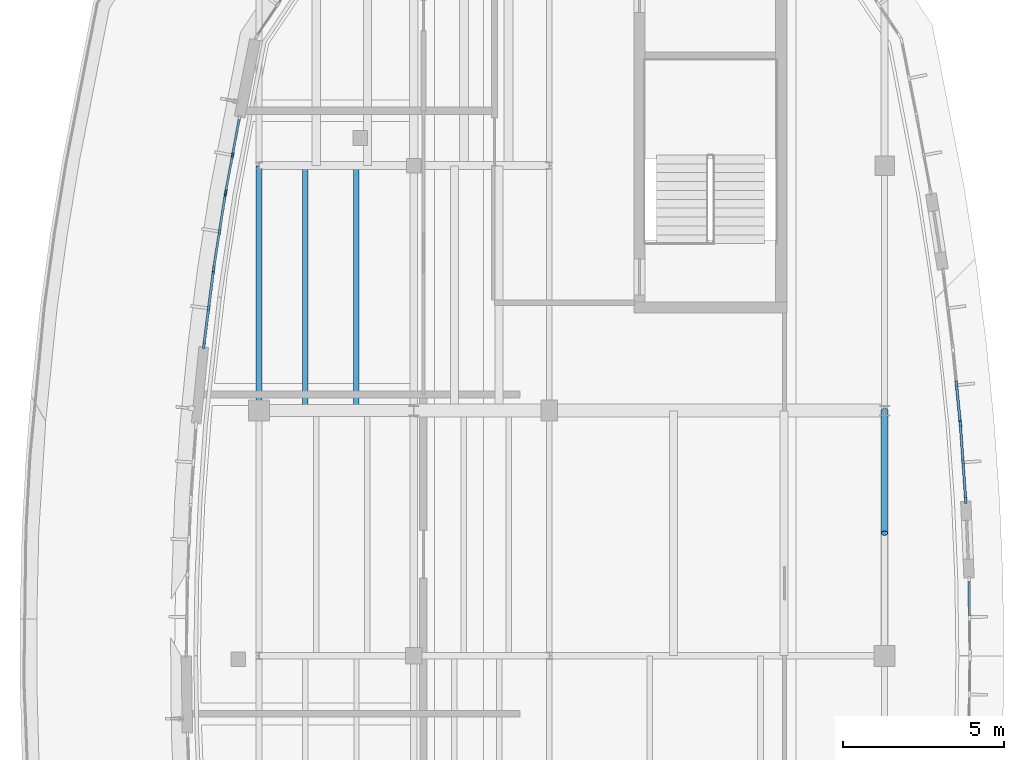
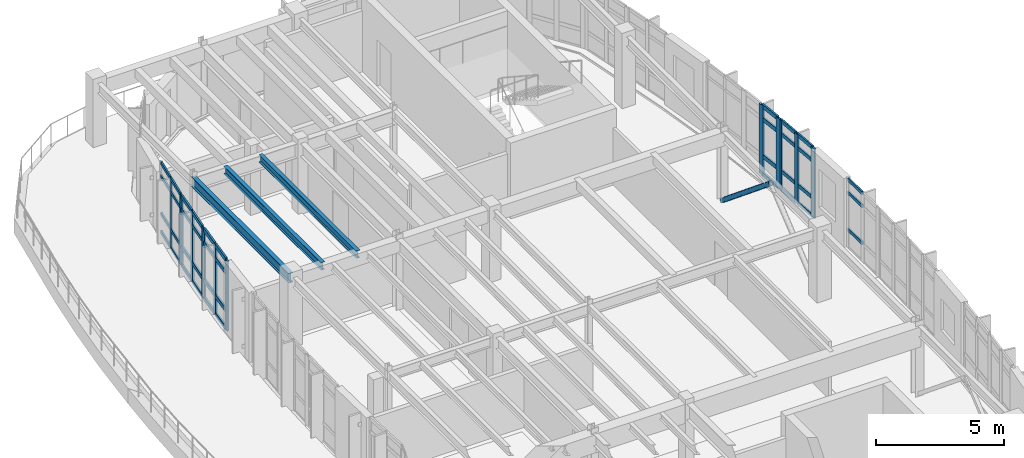
# One storey, part 9 of 20: 53 members, 3 beams, 6 elements without a shape of their own.
"""IFC4 building model written with IfcOpenShell, lengths in metres."""

import ifcopenshell
import ifcopenshell.guid

model = None  # the IFC model being written
_history = None  # IfcOwnerHistory: only IFC2X3 demands one
_inside = {}  # id of a spatial element -> (the spatial element, [elements in it])
_under = {}  # id of a project, library or spatial element -> (it, [spatial elements below it])
_declared = {}  # id of a project -> (the project, [libraries it declares])
_typed = {}  # id of a type object -> (the type object, [elements of that type])
_made_of = {}  # id of a material, layer set ... -> (it, [elements and type objects made of it])


def new_model(schema):
    """Start an empty IFC model of exactly this schema.

    Asked for "IFC4X3", IfcOpenShell would pick the latest addendum, in which some entities
    have other attributes; the version numbers below select the first issue.
    IFC2X3 requires an IfcOwnerHistory on every rooted entity: one is made here for all.
    """
    global model, _history
    if schema == "IFC4X3":
        model = ifcopenshell.file(schema_version=(4, 3, 0, 0))
    else:
        model = ifcopenshell.file(schema=schema)
    _inside.clear()
    _under.clear()
    _declared.clear()
    _typed.clear()
    _made_of.clear()
    _history = None
    if model.schema == "IFC2X3":
        org = make("IfcOrganization", Name="unknown")
        user = make(
            "IfcPersonAndOrganization",
            ThePerson=make("IfcPerson", FamilyName="unknown"),
            TheOrganization=org,
        )
        app = make(
            "IfcApplication",
            ApplicationDeveloper=org,
            Version="unknown",
            ApplicationFullName="unknown",
            ApplicationIdentifier="unknown",
        )
        _history = make(
            "IfcOwnerHistory",
            OwningUser=user,
            OwningApplication=app,
            ChangeAction="ADDED",
            CreationDate=0,
        )
    return model


def make(cls, **values):
    """One entity of the class cls with the attributes given. An attribute that is None is left unset."""
    return model.create_entity(
        cls, **{name: value for name, value in values.items() if value is not None}
    )


def rooted(cls, **values):
    """An entity with a GlobalId (a new one), such as an element, a storey or a relation."""
    return make(cls, GlobalId=ifcopenshell.guid.new(), OwnerHistory=_history, **values)


def si_unit(unit_type, name, prefix=None):
    """IfcSIUnit, for example si_unit("LENGTHUNIT", "METRE", prefix="MILLI")."""
    return make("IfcSIUnit", UnitType=unit_type, Prefix=prefix, Name=name)


def assignment(units):
    """IfcUnitAssignment: the units of a project."""
    return None if units is None else make("IfcUnitAssignment", Units=units)


def point(xyz):
    """IfcCartesianPoint."""
    return None if xyz is None else make("IfcCartesianPoint", Coordinates=xyz)


def direction(xyz):
    """IfcDirection."""
    return None if xyz is None else make("IfcDirection", DirectionRatios=xyz)


def frame(location, z_axis=None, x_axis=None):
    """IfcAxis2Placement3D, a coordinate frame: its origin and axes. An axis left out is left unset."""
    return make(
        "IfcAxis2Placement3D",
        Location=point(location),
        Axis=direction(z_axis),
        RefDirection=direction(x_axis),
    )


def frame_2d(location, x_axis=None):
    """IfcAxis2Placement2D, a coordinate frame in the plane: its origin and x axis."""
    return make(
        "IfcAxis2Placement2D", Location=point(location), RefDirection=direction(x_axis)
    )


def origin():
    """The frame at (0, 0, 0) with its axes left unset."""
    return frame((0.0, 0.0, 0.0))


def origin_2d():
    """The frame at (0, 0) in the plane with its x axis left unset."""
    return frame_2d((0.0, 0.0))


def place(relative_to, where):
    """IfcLocalPlacement: puts the frame where relative to a parent placement (None: the world)."""
    return make(
        "IfcLocalPlacement", PlacementRelTo=relative_to, RelativePlacement=where
    )


def context(
    kind, dimensions, precision=None, world=None, true_north=None, identifier=None
):
    """IfcGeometricRepresentationContext, for example the 3D "Model" context."""
    return make(
        "IfcGeometricRepresentationContext",
        ContextIdentifier=identifier,
        ContextType=kind,
        CoordinateSpaceDimension=dimensions,
        Precision=precision,
        WorldCoordinateSystem=world,
        TrueNorth=true_north,
    )


def subcontext(parent, identifier, kind, view, scale=None):
    """IfcGeometricRepresentationSubContext, for example "Body" below "Model"."""
    return make(
        "IfcGeometricRepresentationSubContext",
        ContextIdentifier=identifier,
        ContextType=kind,
        ParentContext=parent,
        TargetScale=scale,
        TargetView=view,
    )


def project(units=None, contexts=None):
    """IfcProject with its units and contexts."""
    return rooted(
        "IfcProject",
        Name="project",
        RepresentationContexts=contexts,
        UnitsInContext=assignment(units),
    )


def spatial(cls, under=None, at=None, **own):
    """A site, building, storey or space (cls), placed at a placement, below another one or the project."""
    s = rooted(cls, ObjectPlacement=at, **own)
    if under is not None:
        _under.setdefault(under.id(), (under, []))[1].append(s)
    return s


def profile(cls, at=None, kind="AREA", **sizes):
    """A parametric profile (cls). Its sizes go by their IFC names, for example OverallWidth=200.0."""
    return make(cls, ProfileType=kind, Position=at, **sizes)


def rectangle(**sizes):
    """IfcRectangleProfileDef."""
    return profile("IfcRectangleProfileDef", **sizes)


def hollow_circle(**sizes):
    """IfcCircleHollowProfileDef."""
    return profile("IfcCircleHollowProfileDef", **sizes)


def i_section(**sizes):
    """IfcIShapeProfileDef."""
    return profile("IfcIShapeProfileDef", **sizes)


def extrude(swept, where, along, depth):
    """IfcExtrudedAreaSolid: the profile swept, set in the frame where, extruded along a direction by depth."""
    return make(
        "IfcExtrudedAreaSolid",
        SweptArea=swept,
        Position=where,
        ExtrudedDirection=direction(along),
        Depth=depth,
    )


def shape(context_of_items, identifier, shape_type, items):
    """IfcShapeRepresentation: the items that make up one representation, for example the "Body"."""
    return make(
        "IfcShapeRepresentation",
        ContextOfItems=context_of_items,
        RepresentationIdentifier=identifier,
        RepresentationType=shape_type,
        Items=items,
    )


def material(Name=None, Category=None):
    """IfcMaterial."""
    return make("IfcMaterial", Name=Name, Category=Category)


def material_profile(
    of_material, cross_section, Name=None, Category=None, Priority=None
):
    """IfcMaterialProfile: a cross section and its material."""
    return make(
        "IfcMaterialProfile",
        Name=Name,
        Material=of_material,
        Profile=cross_section,
        Priority=Priority,
        Category=Category,
    )


def profile_set(profiles, Name=None, composite=None):
    """IfcMaterialProfileSet."""
    return make(
        "IfcMaterialProfileSet",
        Name=Name,
        MaterialProfiles=profiles,
        CompositeProfile=composite,
    )


def made_of(thing, what):
    """Note that an element or type object is made of a material, layer set ...; save() writes the relation."""
    if what is not None:
        _made_of.setdefault(what.id(), (what, []))[1].append(thing)
    return thing


def type_object(cls, material=None, **own):
    """A type object (cls), such as IfcWallType, which elements share."""
    return made_of(rooted(cls, **own), material)


def element(
    cls,
    number,
    at=None,
    inside=None,
    cuts=None,
    type_object=None,
    material=None,
    context=None,
    identifier="Body",
    shape_type=None,
    held_by="IfcProductDefinitionShape",
    body=None,
    shapes=None,
    **own,
):
    """One element of the class cls, such as IfcWall. Its Tag is "e" and its number.

    at: its placement. inside: the storey or other place that contains it. cuts: it is an
    opening in that element (IfcRelVoidsElement). A single representation is given by context,
    identifier, shape_type and body (its items); several are given by shapes. held_by: the class
    of the entity that holds the representations. save() writes the other relations.
    """
    e = rooted(cls, Tag="e%d" % number, ObjectPlacement=at, **own)
    if body is not None:
        shapes = [shape(context, identifier, shape_type, body)]
    if shapes is not None:
        e.Representation = make(held_by, Representations=shapes)
    if inside is not None:
        _inside.setdefault(inside.id(), (inside, []))[1].append(e)
    if cuts is not None:
        rooted(
            "IfcRelVoidsElement", RelatingBuildingElement=cuts, RelatedOpeningElement=e
        )
    if type_object is not None:
        _typed.setdefault(type_object.id(), (type_object, []))[1].append(e)
    return made_of(e, material)


def aggregate(whole, parts):
    """IfcRelAggregates: a whole, such as a stair, and the parts it consists of."""
    return rooted("IfcRelAggregates", RelatingObject=whole, RelatedObjects=parts)


def save(model, path):
    """Write the relations noted so far, then the file.

    IfcRelAggregates (storeys below a building ...), IfcRelContainedInSpatialStructure (elements
    in a storey), IfcRelDefinesByType, IfcRelAssociatesMaterial and IfcRelDeclares: one each for
    every whole, place, type object, material and project.
    """
    for whole, parts in _under.values():
        aggregate(whole, parts)
    for where, things in _inside.values():
        rooted(
            "IfcRelContainedInSpatialStructure",
            RelatedElements=things,
            RelatingStructure=where,
        )
    for kind, things in _typed.values():
        rooted("IfcRelDefinesByType", RelatedObjects=things, RelatingType=kind)
    for what, things in _made_of.values():
        rooted("IfcRelAssociatesMaterial", RelatedObjects=things, RelatingMaterial=what)
    for by, libraries in _declared.values():
        rooted("IfcRelDeclares", RelatingContext=by, RelatedDefinitions=libraries)
    model.write(path)


model = new_model("IFC4")

# Units and contexts
model_context = context("Model", 3, precision=1e-05, world=origin(), true_north=direction((0.0, 1.0)))
body_context = subcontext(model_context, "Body", "Model", "MODEL_VIEW")
ifc_project = project(units=[si_unit("LENGTHUNIT", "METRE"), si_unit("AREAUNIT", "SQUARE_METRE"), si_unit("VOLUMEUNIT", "CUBIC_METRE"), si_unit("PLANEANGLEUNIT", "RADIAN"), si_unit("MASSUNIT", "GRAM", prefix="KILO")], contexts=[model_context])

# Site, building, storey
site_placement = place(None, origin())
site = spatial("IfcSite", under=ifc_project, at=site_placement, CompositionType="ELEMENT")
building_placement = place(site_placement, origin())
building = spatial("IfcBuilding", under=site, at=building_placement, Name="Corveleigh Park Community Centre", CompositionType="ELEMENT")
storey_placement = place(building_placement, frame((0.0, 0.0, 16.199951171875)))
storey = spatial("IfcBuildingStorey", under=building, at=storey_placement, Name="L04", CompositionType="ELEMENT", Elevation=16.199951171875)

# Beams
ifc_material_1 = material(Name="Steel S355", Category="steel")
ifc_material_profile_1 = material_profile(ifc_material_1, i_section(OverallWidth=0.17138671875, OverallDepth=0.35498046875, WebThickness=0.00732421875, FlangeThickness=0.011474609375, at=origin_2d()), Name="UKB 356x171x51", Category="steel")
ifc_profile_set_1 = profile_set([ifc_material_profile_1], Name="Steel S355")
beam_type_1 = type_object("IfcBeamType", Name="BM-STL-UKB356x51", PredefinedType="JOIST", material=ifc_profile_set_1)
for number, where, z_axis, x_axis, name in (
    (1, (150.43994140625, 89.0048828125, 3.15966796875), (0.0, 1.0, 0.0), (-1.0, 0.0, 0.0), "Secondary floor joist"),
    (2, (152.02392578125, 89.0048828125, 3.15966796875), (0.0, 1.0, 0.0), (-1.0, 0.0, 0.0), "Secondary floor joist"),
):
    element("IfcBeam", number, at=place(storey_placement, frame(where, z_axis=z_axis, x_axis=x_axis)), inside=storey, type_object=beam_type_1, Name=name, PredefinedType="JOIST", context=body_context, shape_type="SweptSolid", body=[
        extrude(i_section(OverallWidth=0.17138671875, OverallDepth=0.35498046875, WebThickness=0.00732421875, FlangeThickness=0.011474609375, at=origin_2d()), origin(), (0.0, 0.0, 1.0), 7.590087890625),
    ])
ifc_material_profile_2 = material_profile(ifc_material_1, i_section(OverallWidth=0.19140625, OverallDepth=0.4599609375, WebThickness=0.010009765625, FlangeThickness=0.01611328125, at=origin_2d()), Name="UKB 457x191x82", Category="steel")
ifc_profile_set_2 = profile_set([ifc_material_profile_2], Name="Steel S355")
beam_type_2 = type_object("IfcBeamType", Name="BM-STL-UKB457x82", PredefinedType="BEAM", material=ifc_profile_set_2)
beam_placement = place(storey_placement, frame((149.0, 89.0048828125, 3.10693359375), z_axis=(0.0, 1.0, 0.0), x_axis=(-1.0, 0.0, 0.0)))
element("IfcBeam", 3, at=beam_placement, inside=storey, type_object=beam_type_2, Name="V4 Girder Y", PredefinedType="BEAM", context=body_context, shape_type="SweptSolid", body=[
    extrude(i_section(OverallWidth=0.19140625, OverallDepth=0.4599609375, WebThickness=0.010009765625, FlangeThickness=0.01611328125, at=origin_2d()), origin(), (0.0, 0.0, 1.0), 7.590087890625),
])

# Curtain wall, members
ifc_material_2 = material(Name="Anodised aluminium 6063-T6", Category="aluminium")
curtain_wall_type = type_object("IfcCurtainWallType", Name="CW-SYS-V4-L03", PredefinedType="NOTDEFINED", material=ifc_material_2)
curtain_wall_1_placement = place(storey_placement, origin())
curtain_wall_1 = element("IfcCurtainWall", 4, at=curtain_wall_1_placement, inside=storey, type_object=curtain_wall_type, Name="V4 L04 Curtain Wall 458", PredefinedType="NOTDEFINED")
ifc_material_profile_3 = material_profile(ifc_material_2, rectangle(XDim=0.06494140625, YDim=0.179931640625, at=origin_2d()), Name="ALU-M65x180", Category="aluminium")
ifc_profile_set_3 = profile_set([ifc_material_profile_3], Name="Anodised aluminium 6063-T6")
member_type_1 = type_object("IfcMemberType", Name="CWM-65x180", PredefinedType="MULLION", material=ifc_profile_set_3)
member_1_placement = place(storey_placement, frame((147.970947265625, 95.780029296875, 0.0), z_axis=(0.0, 0.0, 1.0), x_axis=(-0.983301463744, 0.181984151504, 0.0)))
member_1 = element("IfcMember", 5, at=member_1_placement, type_object=member_type_1, Name="CW09 mullion 1", PredefinedType="MULLION", context=body_context, shape_type="SweptSolid", body=[
    extrude(rectangle(XDim=0.06494140625, YDim=0.179931640625, at=origin_2d()), origin(), (0.0, 0.0, 1.0), 3.337158203125),
])
member_2_placement = place(storey_placement, frame((148.181884765625, 96.92041015625, 0.0), z_axis=(0.0, 0.0, 1.0), x_axis=(-0.983301463744, 0.181984151504, 0.0)))
member_2 = element("IfcMember", 6, at=member_2_placement, type_object=member_type_1, Name="CW09 mullion 2", PredefinedType="MULLION", context=body_context, shape_type="SweptSolid", body=[
    extrude(rectangle(XDim=0.06494140625, YDim=0.179931640625, at=origin_2d()), origin(), (0.0, 0.0, 1.0), 3.337158203125),
])

curtain_wall_2_placement = place(storey_placement, origin())
curtain_wall_2 = element("IfcCurtainWall", 7, at=curtain_wall_2_placement, inside=storey, type_object=curtain_wall_type, Name="V4 L04 Curtain Wall 459", PredefinedType="NOTDEFINED")
ifc_material_profile_4 = material_profile(ifc_material_2, rectangle(XDim=0.070068359375, YDim=0.199951171875, at=origin_2d()), Name="ALU-M70x200", Category="aluminium")
ifc_profile_set_4 = profile_set([ifc_material_profile_4], Name="Anodised aluminium 6063-T6")
member_type_2 = type_object("IfcMemberType", Name="CWM-70x200", PredefinedType="MULLION", material=ifc_profile_set_4)
member_3_placement = place(storey_placement, frame((147.598388671875, 93.41064453125, 0.0), z_axis=(0.0, 0.0, 1.0), x_axis=(-0.987935898779, 0.154863358814, 0.0)))
member_3 = element("IfcMember", 8, at=member_3_placement, type_object=member_type_2, Name="CW09 mullion 1", PredefinedType="MULLION", context=body_context, shape_type="SweptSolid", body=[
    extrude(rectangle(XDim=0.070068359375, YDim=0.199951171875, at=origin_2d()), origin(), (0.0, 0.0, 1.0), 3.337158203125),
])
member_4_placement = place(storey_placement, frame((147.777587890625, 94.552978515625, 0.0), z_axis=(0.0, 0.0, 1.0), x_axis=(-0.987935898779, 0.154863358814, 0.0)))
member_4 = element("IfcMember", 9, at=member_4_placement, type_object=member_type_2, Name="CW09 mullion 2", PredefinedType="MULLION", context=body_context, shape_type="SweptSolid", body=[
    extrude(rectangle(XDim=0.070068359375, YDim=0.199951171875, at=origin_2d()), origin(), (0.0, 0.0, 1.0), 3.337158203125),
])
member_5_placement = place(storey_placement, frame((147.95654296875, 95.6953125, 0.0), z_axis=(0.0, 0.0, 1.0), x_axis=(-0.987935898779, 0.154863358814, 0.0)))
member_5 = element("IfcMember", 10, at=member_5_placement, type_object=member_type_2, Name="CW09 mullion 3", PredefinedType="MULLION", context=body_context, shape_type="SweptSolid", body=[
    extrude(rectangle(XDim=0.070068359375, YDim=0.199951171875, at=origin_2d()), origin(), (0.0, 0.0, 1.0), 3.337158203125),
])

curtain_wall_3_placement = place(storey_placement, origin())
curtain_wall_3 = element("IfcCurtainWall", 11, at=curtain_wall_3_placement, inside=storey, type_object=curtain_wall_type, Name="V4 L04 Curtain Wall 460", PredefinedType="NOTDEFINED")
ifc_material_profile_5 = material_profile(ifc_material_2, rectangle(XDim=0.074951171875, YDim=0.219970703125, at=origin_2d()), Name="ALU-M75x220", Category="aluminium")
ifc_profile_set_5 = profile_set([ifc_material_profile_5], Name="Anodised aluminium 6063-T6")
member_type_3 = type_object("IfcMemberType", Name="CWM-75x220", PredefinedType="MULLION", material=ifc_profile_set_5)
member_6_placement = place(storey_placement, frame((147.293701171875, 91.03125, 0.0), z_axis=(0.0, 0.0, 1.0), x_axis=(-0.991938561413, 0.126719731618, 0.0)))
member_6 = element("IfcMember", 12, at=member_6_placement, type_object=member_type_3, Name="CW09 mullion 1", PredefinedType="MULLION", context=body_context, shape_type="SweptSolid", body=[
    extrude(rectangle(XDim=0.074951171875, YDim=0.219970703125, at=origin_2d()), origin(), (0.0, 0.0, 1.0), 3.337158203125),
])
member_7_placement = place(storey_placement, frame((147.43994140625, 92.176025390625, 0.0), z_axis=(0.0, 0.0, 1.0), x_axis=(-0.991938561413, 0.126719731618, 0.0)))
member_7 = element("IfcMember", 13, at=member_7_placement, type_object=member_type_3, Name="CW09 mullion 2", PredefinedType="MULLION", context=body_context, shape_type="SweptSolid", body=[
    extrude(rectangle(XDim=0.074951171875, YDim=0.219970703125, at=origin_2d()), origin(), (0.0, 0.0, 1.0), 3.337158203125),
])
member_8_placement = place(storey_placement, frame((147.586181640625, 93.32080078125, 0.0), z_axis=(0.0, 0.0, 1.0), x_axis=(-0.991938561413, 0.126719731618, 0.0)))
member_8 = element("IfcMember", 14, at=member_8_placement, type_object=member_type_3, Name="CW09 mullion 3", PredefinedType="MULLION", context=body_context, shape_type="SweptSolid", body=[
    extrude(rectangle(XDim=0.074951171875, YDim=0.219970703125, at=origin_2d()), origin(), (0.0, 0.0, 1.0), 3.337158203125),
])

curtain_wall_4_placement = place(storey_placement, origin())
curtain_wall_4 = element("IfcCurtainWall", 15, at=curtain_wall_4_placement, inside=storey, type_object=curtain_wall_type, Name="V4 L04 Curtain Wall 449", PredefinedType="NOTDEFINED")
ifc_material_profile_6 = material_profile(ifc_material_2, rectangle(XDim=0.080078125, YDim=0.25, at=origin_2d()), Name="ALU-M80x250", Category="aluminium")
ifc_profile_set_6 = profile_set([ifc_material_profile_6], Name="Anodised aluminium 6063-T6")
member_type_4 = type_object("IfcMemberType", Name="CWM-80x250", PredefinedType="MULLION", material=ifc_profile_set_6)
member_9_placement = place(storey_placement, frame((170.751708984375, 88.546142578125, 0.0), z_axis=(0.0, 0.0, 1.0), x_axis=(0.997541102344, 0.070083872142, 0.0)))
member_9 = element("IfcMember", 16, at=member_9_placement, type_object=member_type_4, Name="CW09 mullion 1", PredefinedType="MULLION", context=body_context, shape_type="SweptSolid", body=[
    extrude(rectangle(XDim=0.080078125, YDim=0.25, at=origin_2d()), origin(), (0.0, 0.0, 1.0), 3.31201171875),
])
member_10_placement = place(storey_placement, frame((170.83251953125, 87.3974609375, 0.0), z_axis=(0.0, 0.0, 1.0), x_axis=(0.997541102344, 0.070083872142, 0.0)))
member_10 = element("IfcMember", 17, at=member_10_placement, type_object=member_type_4, Name="CW09 mullion 2", PredefinedType="MULLION", context=body_context, shape_type="SweptSolid", body=[
    extrude(rectangle(XDim=0.080078125, YDim=0.25, at=origin_2d()), origin(), (0.0, 0.0, 1.0), 3.31201171875),
])
member_11_placement = place(storey_placement, frame((170.9130859375, 86.2490234375, 0.0), z_axis=(0.0, 0.0, 1.0), x_axis=(0.997541102344, 0.070083872142, 0.0)))
member_11 = element("IfcMember", 18, at=member_11_placement, type_object=member_type_4, Name="CW09 mullion 3", PredefinedType="MULLION", context=body_context, shape_type="SweptSolid", body=[
    extrude(rectangle(XDim=0.080078125, YDim=0.25, at=origin_2d()), origin(), (0.0, 0.0, 1.0), 3.31201171875),
])

curtain_wall_5_placement = place(storey_placement, origin())
curtain_wall_5 = element("IfcCurtainWall", 19, at=curtain_wall_5_placement, inside=storey, type_object=curtain_wall_type, Name="V4 L04 Curtain Wall 450", PredefinedType="NOTDEFINED")
ifc_material_profile_7 = material_profile(ifc_material_2, rectangle(XDim=0.0849609375, YDim=0.27490234375, at=origin_2d()), Name="ALU-M85x275", Category="aluminium")
ifc_profile_set_7 = profile_set([ifc_material_profile_7], Name="Anodised aluminium 6063-T6")
member_type_5 = type_object("IfcMemberType", Name="CWM-85x275", PredefinedType="MULLION", material=ifc_profile_set_7)
member_12_placement = place(storey_placement, frame((170.6298828125, 89.7900390625, 0.0), z_axis=(0.0, 0.0, 1.0), x_axis=(0.995169228615, 0.098174367416, 0.0)))
member_12 = element("IfcMember", 20, at=member_12_placement, type_object=member_type_5, Name="CW09 mullion 2", PredefinedType="MULLION", context=body_context, shape_type="SweptSolid", body=[
    extrude(rectangle(XDim=0.0849609375, YDim=0.27490234375, at=origin_2d()), origin(), (0.0, 0.0, 1.0), 3.31201171875),
])
member_13_placement = place(storey_placement, frame((170.742919921875, 88.646240234375, 0.0), z_axis=(0.0, 0.0, 1.0), x_axis=(0.995169228615, 0.098174367416, 0.0)))
member_13 = element("IfcMember", 21, at=member_13_placement, type_object=member_type_5, Name="CW09 mullion 3", PredefinedType="MULLION", context=body_context, shape_type="SweptSolid", body=[
    extrude(rectangle(XDim=0.0849609375, YDim=0.27490234375, at=origin_2d()), origin(), (0.0, 0.0, 1.0), 3.31201171875),
])

curtain_wall_6_placement = place(storey_placement, origin())
curtain_wall_6 = element("IfcCurtainWall", 22, at=curtain_wall_6_placement, inside=storey, type_object=curtain_wall_type, Name="V4 L04 Curtain Wall 448", PredefinedType="NOTDEFINED")
ifc_material_profile_8 = material_profile(ifc_material_2, rectangle(XDim=0.070068359375, YDim=0.155029296875, at=origin_2d()), Name="ALU-T70x155", Category="aluminium")
ifc_profile_set_8 = profile_set([ifc_material_profile_8], Name="Anodised aluminium 6063-T6")
member_type_6 = type_object("IfcMemberType", Name="CWT-70x155", PredefinedType="USERDEFINED", material=ifc_profile_set_8)
member_14_placement = place(storey_placement, frame((171.02001953125, 83.717041015625, 0.900146484375), z_axis=(0.014251946031, -0.99989843586, 0.0), x_axis=(0.99989843586, 0.014251946031, 0.0)))
member_14 = element("IfcMember", 23, at=member_14_placement, type_object=member_type_6, Name="CW09 transom 1.2", ObjectType="TRANSOM", PredefinedType="USERDEFINED", context=body_context, shape_type="SweptSolid", body=[
    extrude(rectangle(XDim=0.070068359375, YDim=0.155029296875, at=origin_2d()), origin(), (0.0, 0.0, 1.0), 1.0791015625),
])
member_15_placement = place(storey_placement, frame((171.02001953125, 83.717041015625, 2.662109375), z_axis=(0.014251946031, -0.99989843586, 0.0), x_axis=(0.99989843586, 0.014251946031, 0.0)))
member_15 = element("IfcMember", 24, at=member_15_placement, type_object=member_type_6, Name="CW09 transom 1.3", ObjectType="TRANSOM", PredefinedType="USERDEFINED", context=body_context, shape_type="SweptSolid", body=[
    extrude(rectangle(XDim=0.070068359375, YDim=0.155029296875, at=origin_2d()), origin(), (0.0, 0.0, 1.0), 1.0791015625),
])
member_16_placement = place(storey_placement, frame((171.02001953125, 83.717041015625, 3.277099609375), z_axis=(0.014251946031, -0.99989843586, 0.0), x_axis=(0.99989843586, 0.014251946031, 0.0)))
member_16 = element("IfcMember", 25, at=member_16_placement, type_object=member_type_6, Name="CW09 transom 1.4", ObjectType="TRANSOM", PredefinedType="USERDEFINED", context=body_context, shape_type="SweptSolid", body=[
    extrude(rectangle(XDim=0.070068359375, YDim=0.155029296875, at=origin_2d()), origin(), (0.0, 0.0, 1.0), 1.0791015625),
])
aggregate(curtain_wall_6, [member_14, member_15, member_16])

# Member
member_17_placement = place(storey_placement, frame((147.976806640625, 95.81201171875, 0.03515625), z_axis=(0.181985438874, 0.983301225484, 0.0), x_axis=(-0.983301225484, 0.181985438874, 0.0)))
member_17 = element("IfcMember", 26, at=member_17_placement, type_object=member_type_6, Name="CW09 transom 1.1", ObjectType="TRANSOM", PredefinedType="USERDEFINED", context=body_context, shape_type="SweptSolid", body=[
    extrude(rectangle(XDim=0.070068359375, YDim=0.155029296875, at=origin_2d()), origin(), (0.0, 0.0, 1.0), 1.0947265625),
])

member_18_placement = place(storey_placement, frame((147.976806640625, 95.81201171875, 0.900146484375), z_axis=(0.181985438874, 0.983301225484, 0.0), x_axis=(-0.983301225484, 0.181985438874, 0.0)))
member_18 = element("IfcMember", 27, at=member_18_placement, type_object=member_type_6, Name="CW09 transom 1.2", ObjectType="TRANSOM", PredefinedType="USERDEFINED", context=body_context, shape_type="SweptSolid", body=[
    extrude(rectangle(XDim=0.070068359375, YDim=0.155029296875, at=origin_2d()), origin(), (0.0, 0.0, 1.0), 1.0947265625),
])

member_19_placement = place(storey_placement, frame((147.976806640625, 95.81201171875, 2.68701171875), z_axis=(0.181985438874, 0.983301225484, 0.0), x_axis=(-0.983301225484, 0.181985438874, 0.0)))
member_19 = element("IfcMember", 28, at=member_19_placement, type_object=member_type_6, Name="CW09 transom 1.3", ObjectType="TRANSOM", PredefinedType="USERDEFINED", context=body_context, shape_type="SweptSolid", body=[
    extrude(rectangle(XDim=0.070068359375, YDim=0.155029296875, at=origin_2d()), origin(), (0.0, 0.0, 1.0), 1.0947265625),
])

member_20_placement = place(storey_placement, frame((147.976806640625, 95.81201171875, 3.302001953125), z_axis=(0.181985438874, 0.983301225484, 0.0), x_axis=(-0.983301225484, 0.181985438874, 0.0)))
member_20 = element("IfcMember", 29, at=member_20_placement, type_object=member_type_6, Name="CW09 transom 1.4", ObjectType="TRANSOM", PredefinedType="USERDEFINED", context=body_context, shape_type="SweptSolid", body=[
    extrude(rectangle(XDim=0.070068359375, YDim=0.155029296875, at=origin_2d()), origin(), (0.0, 0.0, 1.0), 1.0947265625),
])

member_21_placement = place(storey_placement, frame((148.18798828125, 96.952392578125, 0.03515625), z_axis=(0.181945538579, 0.983308609233, 0.0), x_axis=(-0.983308609233, 0.181945538579, 0.0)))
member_21 = element("IfcMember", 30, at=member_21_placement, type_object=member_type_6, Name="CW09 transom 2.1", ObjectType="TRANSOM", PredefinedType="USERDEFINED", context=body_context, shape_type="SweptSolid", body=[
    extrude(rectangle(XDim=0.070068359375, YDim=0.155029296875, at=origin_2d()), origin(), (0.0, 0.0, 1.0), 1.094970703125),
])

member_22_placement = place(storey_placement, frame((148.18798828125, 96.952392578125, 0.900146484375), z_axis=(0.181945538579, 0.983308609233, 0.0), x_axis=(-0.983308609233, 0.181945538579, 0.0)))
member_22 = element("IfcMember", 31, at=member_22_placement, type_object=member_type_6, Name="CW09 transom 2.2", ObjectType="TRANSOM", PredefinedType="USERDEFINED", context=body_context, shape_type="SweptSolid", body=[
    extrude(rectangle(XDim=0.070068359375, YDim=0.155029296875, at=origin_2d()), origin(), (0.0, 0.0, 1.0), 1.094970703125),
])

member_23_placement = place(storey_placement, frame((148.18798828125, 96.952392578125, 2.68701171875), z_axis=(0.181945538579, 0.983308609233, 0.0), x_axis=(-0.983308609233, 0.181945538579, 0.0)))
member_23 = element("IfcMember", 32, at=member_23_placement, type_object=member_type_6, Name="CW09 transom 2.3", ObjectType="TRANSOM", PredefinedType="USERDEFINED", context=body_context, shape_type="SweptSolid", body=[
    extrude(rectangle(XDim=0.070068359375, YDim=0.155029296875, at=origin_2d()), origin(), (0.0, 0.0, 1.0), 1.094970703125),
])

member_24_placement = place(storey_placement, frame((148.18798828125, 96.952392578125, 3.302001953125), z_axis=(0.181945538579, 0.983308609233, 0.0), x_axis=(-0.983308609233, 0.181945538579, 0.0)))
member_24 = element("IfcMember", 33, at=member_24_placement, type_object=member_type_6, Name="CW09 transom 2.4", ObjectType="TRANSOM", PredefinedType="USERDEFINED", context=body_context, shape_type="SweptSolid", body=[
    extrude(rectangle(XDim=0.070068359375, YDim=0.155029296875, at=origin_2d()), origin(), (0.0, 0.0, 1.0), 1.094970703125),
])

aggregate(curtain_wall_1, [member_1, member_2, member_17, member_18, member_19, member_20, member_21, member_22, member_23, member_24])

ifc_material_profile_9 = material_profile(ifc_material_2, rectangle(XDim=0.074951171875, YDim=0.175048828125, at=origin_2d()), Name="ALU-T75x175", Category="aluminium")
ifc_profile_set_9 = profile_set([ifc_material_profile_9], Name="Anodised aluminium 6063-T6")
member_type_7 = type_object("IfcMemberType", Name="CWT-75x175", PredefinedType="USERDEFINED", material=ifc_profile_set_9)
member_25_placement = place(storey_placement, frame((170.754638671875, 88.506103515625, 0.03759765625), z_axis=(0.069967472452, -0.997549273369, 0.0), x_axis=(0.997549273369, 0.069967472452, 0.0)))
member_25 = element("IfcMember", 34, at=member_25_placement, type_object=member_type_7, Name="CW09 transom 1.1", ObjectType="TRANSOM", PredefinedType="USERDEFINED", context=body_context, shape_type="SweptSolid", body=[
    extrude(rectangle(XDim=0.074951171875, YDim=0.175048828125, at=origin_2d()), origin(), (0.0, 0.0, 1.0), 1.0712890625),
])

member_26_placement = place(storey_placement, frame((170.754638671875, 88.506103515625, 0.900146484375), z_axis=(0.069967472452, -0.997549273369, 0.0), x_axis=(0.997549273369, 0.069967472452, 0.0)))
member_26 = element("IfcMember", 35, at=member_26_placement, type_object=member_type_7, Name="CW09 transom 1.2", ObjectType="TRANSOM", PredefinedType="USERDEFINED", context=body_context, shape_type="SweptSolid", body=[
    extrude(rectangle(XDim=0.074951171875, YDim=0.175048828125, at=origin_2d()), origin(), (0.0, 0.0, 1.0), 1.0712890625),
])

member_27_placement = place(storey_placement, frame((170.754638671875, 88.506103515625, 2.662109375), z_axis=(0.069967472452, -0.997549273369, 0.0), x_axis=(0.997549273369, 0.069967472452, 0.0)))
member_27 = element("IfcMember", 36, at=member_27_placement, type_object=member_type_7, Name="CW09 transom 1.3", ObjectType="TRANSOM", PredefinedType="USERDEFINED", context=body_context, shape_type="SweptSolid", body=[
    extrude(rectangle(XDim=0.074951171875, YDim=0.175048828125, at=origin_2d()), origin(), (0.0, 0.0, 1.0), 1.0712890625),
])

member_28_placement = place(storey_placement, frame((170.754638671875, 88.506103515625, 3.274658203125), z_axis=(0.069967472452, -0.997549273369, 0.0), x_axis=(0.997549273369, 0.069967472452, 0.0)))
member_28 = element("IfcMember", 37, at=member_28_placement, type_object=member_type_7, Name="CW09 transom 1.4", ObjectType="TRANSOM", PredefinedType="USERDEFINED", context=body_context, shape_type="SweptSolid", body=[
    extrude(rectangle(XDim=0.074951171875, YDim=0.175048828125, at=origin_2d()), origin(), (0.0, 0.0, 1.0), 1.0712890625),
])

member_29_placement = place(storey_placement, frame((170.835205078125, 87.357666015625, 0.03759765625), z_axis=(0.070178303957, -0.997534463391, 0.0), x_axis=(0.997534463391, 0.070178303957, 0.0)))
member_29 = element("IfcMember", 38, at=member_29_placement, type_object=member_type_7, Name="CW09 transom 2.1", ObjectType="TRANSOM", PredefinedType="USERDEFINED", context=body_context, shape_type="SweptSolid", body=[
    extrude(rectangle(XDim=0.074951171875, YDim=0.175048828125, at=origin_2d()), origin(), (0.0, 0.0, 1.0), 1.071533203125),
])

member_30_placement = place(storey_placement, frame((170.835205078125, 87.357666015625, 0.900146484375), z_axis=(0.070178303957, -0.997534463391, 0.0), x_axis=(0.997534463391, 0.070178303957, 0.0)))
member_30 = element("IfcMember", 39, at=member_30_placement, type_object=member_type_7, Name="CW09 transom 2.2", ObjectType="TRANSOM", PredefinedType="USERDEFINED", context=body_context, shape_type="SweptSolid", body=[
    extrude(rectangle(XDim=0.074951171875, YDim=0.175048828125, at=origin_2d()), origin(), (0.0, 0.0, 1.0), 1.071533203125),
])

member_31_placement = place(storey_placement, frame((170.835205078125, 87.357666015625, 2.662109375), z_axis=(0.070178303957, -0.997534463391, 0.0), x_axis=(0.997534463391, 0.070178303957, 0.0)))
member_31 = element("IfcMember", 40, at=member_31_placement, type_object=member_type_7, Name="CW09 transom 2.3", ObjectType="TRANSOM", PredefinedType="USERDEFINED", context=body_context, shape_type="SweptSolid", body=[
    extrude(rectangle(XDim=0.074951171875, YDim=0.175048828125, at=origin_2d()), origin(), (0.0, 0.0, 1.0), 1.071533203125),
])

member_32_placement = place(storey_placement, frame((170.835205078125, 87.357666015625, 3.274658203125), z_axis=(0.070178303957, -0.997534463391, 0.0), x_axis=(0.997534463391, 0.070178303957, 0.0)))
member_32 = element("IfcMember", 41, at=member_32_placement, type_object=member_type_7, Name="CW09 transom 2.4", ObjectType="TRANSOM", PredefinedType="USERDEFINED", context=body_context, shape_type="SweptSolid", body=[
    extrude(rectangle(XDim=0.074951171875, YDim=0.175048828125, at=origin_2d()), origin(), (0.0, 0.0, 1.0), 1.071533203125),
])

aggregate(curtain_wall_4, [member_9, member_10, member_11, member_25, member_26, member_27, member_28, member_29, member_30, member_31, member_32])

member_33_placement = place(storey_placement, frame((147.603759765625, 93.445068359375, 0.03759765625), z_axis=(0.154843045502, 0.987939082768, 0.0), x_axis=(-0.987939082768, 0.154843045502, 0.0)))
member_33 = element("IfcMember", 42, at=member_33_placement, type_object=member_type_7, Name="CW09 transom 1.1", ObjectType="TRANSOM", PredefinedType="USERDEFINED", context=body_context, shape_type="SweptSolid", body=[
    extrude(rectangle(XDim=0.074951171875, YDim=0.175048828125, at=origin_2d()), origin(), (0.0, 0.0, 1.0), 1.08642578125),
])

member_34_placement = place(storey_placement, frame((147.603759765625, 93.445068359375, 0.900146484375), z_axis=(0.154843045502, 0.987939082768, 0.0), x_axis=(-0.987939082768, 0.154843045502, 0.0)))
member_34 = element("IfcMember", 43, at=member_34_placement, type_object=member_type_7, Name="CW09 transom 1.2", ObjectType="TRANSOM", PredefinedType="USERDEFINED", context=body_context, shape_type="SweptSolid", body=[
    extrude(rectangle(XDim=0.074951171875, YDim=0.175048828125, at=origin_2d()), origin(), (0.0, 0.0, 1.0), 1.08642578125),
])

member_35_placement = place(storey_placement, frame((147.603759765625, 93.445068359375, 2.68701171875), z_axis=(0.154843045502, 0.987939082768, 0.0), x_axis=(-0.987939082768, 0.154843045502, 0.0)))
member_35 = element("IfcMember", 44, at=member_35_placement, type_object=member_type_7, Name="CW09 transom 1.3", ObjectType="TRANSOM", PredefinedType="USERDEFINED", context=body_context, shape_type="SweptSolid", body=[
    extrude(rectangle(XDim=0.074951171875, YDim=0.175048828125, at=origin_2d()), origin(), (0.0, 0.0, 1.0), 1.08642578125),
])

member_36_placement = place(storey_placement, frame((147.603759765625, 93.445068359375, 3.299560546875), z_axis=(0.154843045502, 0.987939082768, 0.0), x_axis=(-0.987939082768, 0.154843045502, 0.0)))
member_36 = element("IfcMember", 45, at=member_36_placement, type_object=member_type_7, Name="CW09 transom 1.4", ObjectType="TRANSOM", PredefinedType="USERDEFINED", context=body_context, shape_type="SweptSolid", body=[
    extrude(rectangle(XDim=0.074951171875, YDim=0.175048828125, at=origin_2d()), origin(), (0.0, 0.0, 1.0), 1.08642578125),
])

member_37_placement = place(storey_placement, frame((147.782958984375, 94.587646484375, 0.03759765625), z_axis=(0.154843045502, 0.987939082768, 0.0), x_axis=(-0.987939082768, 0.154843045502, 0.0)))
member_37 = element("IfcMember", 46, at=member_37_placement, type_object=member_type_7, Name="CW09 transom 2.1", ObjectType="TRANSOM", PredefinedType="USERDEFINED", context=body_context, shape_type="SweptSolid", body=[
    extrude(rectangle(XDim=0.074951171875, YDim=0.175048828125, at=origin_2d()), origin(), (0.0, 0.0, 1.0), 1.08642578125),
])

member_38_placement = place(storey_placement, frame((147.782958984375, 94.587646484375, 0.900146484375), z_axis=(0.154843045502, 0.987939082768, 0.0), x_axis=(-0.987939082768, 0.154843045502, 0.0)))
member_38 = element("IfcMember", 47, at=member_38_placement, type_object=member_type_7, Name="CW09 transom 2.2", ObjectType="TRANSOM", PredefinedType="USERDEFINED", context=body_context, shape_type="SweptSolid", body=[
    extrude(rectangle(XDim=0.074951171875, YDim=0.175048828125, at=origin_2d()), origin(), (0.0, 0.0, 1.0), 1.08642578125),
])

member_39_placement = place(storey_placement, frame((147.782958984375, 94.587646484375, 2.68701171875), z_axis=(0.154843045502, 0.987939082768, 0.0), x_axis=(-0.987939082768, 0.154843045502, 0.0)))
member_39 = element("IfcMember", 48, at=member_39_placement, type_object=member_type_7, Name="CW09 transom 2.3", ObjectType="TRANSOM", PredefinedType="USERDEFINED", context=body_context, shape_type="SweptSolid", body=[
    extrude(rectangle(XDim=0.074951171875, YDim=0.175048828125, at=origin_2d()), origin(), (0.0, 0.0, 1.0), 1.08642578125),
])

member_40_placement = place(storey_placement, frame((147.782958984375, 94.587646484375, 3.299560546875), z_axis=(0.154843045502, 0.987939082768, 0.0), x_axis=(-0.987939082768, 0.154843045502, 0.0)))
member_40 = element("IfcMember", 49, at=member_40_placement, type_object=member_type_7, Name="CW09 transom 2.4", ObjectType="TRANSOM", PredefinedType="USERDEFINED", context=body_context, shape_type="SweptSolid", body=[
    extrude(rectangle(XDim=0.074951171875, YDim=0.175048828125, at=origin_2d()), origin(), (0.0, 0.0, 1.0), 1.08642578125),
])

aggregate(curtain_wall_2, [member_3, member_4, member_5, member_33, member_34, member_35, member_36, member_37, member_38, member_39, member_40])

ifc_material_profile_10 = material_profile(ifc_material_2, rectangle(XDim=0.080078125, YDim=0.195068359375, at=origin_2d()), Name="ALU-T80x195", Category="aluminium")
ifc_profile_set_10 = profile_set([ifc_material_profile_10], Name="Anodised aluminium 6063-T6")
member_type_8 = type_object("IfcMemberType", Name="CWT-80x195", PredefinedType="USERDEFINED", material=ifc_profile_set_10)
member_41_placement = place(storey_placement, frame((170.63427734375, 89.747802734375, 0.0400390625), z_axis=(0.098163833736, -0.995170267716, 0.0), x_axis=(0.995170267716, 0.098163833736, 0.0)))
member_41 = element("IfcMember", 50, at=member_41_placement, type_object=member_type_8, Name="CW09 transom 2.1", ObjectType="TRANSOM", PredefinedType="USERDEFINED", context=body_context, shape_type="SweptSolid", body=[
    extrude(rectangle(XDim=0.080078125, YDim=0.195068359375, at=origin_2d()), origin(), (0.0, 0.0, 1.0), 1.064453125),
])

member_42_placement = place(storey_placement, frame((170.63427734375, 89.747802734375, 0.900146484375), z_axis=(0.098163833736, -0.995170267716, 0.0), x_axis=(0.995170267716, 0.098163833736, 0.0)))
member_42 = element("IfcMember", 51, at=member_42_placement, type_object=member_type_8, Name="CW09 transom 2.2", ObjectType="TRANSOM", PredefinedType="USERDEFINED", context=body_context, shape_type="SweptSolid", body=[
    extrude(rectangle(XDim=0.080078125, YDim=0.195068359375, at=origin_2d()), origin(), (0.0, 0.0, 1.0), 1.064453125),
])

member_43_placement = place(storey_placement, frame((170.63427734375, 89.747802734375, 2.662109375), z_axis=(0.098163833736, -0.995170267716, 0.0), x_axis=(0.995170267716, 0.098163833736, 0.0)))
member_43 = element("IfcMember", 52, at=member_43_placement, type_object=member_type_8, Name="CW09 transom 2.3", ObjectType="TRANSOM", PredefinedType="USERDEFINED", context=body_context, shape_type="SweptSolid", body=[
    extrude(rectangle(XDim=0.080078125, YDim=0.195068359375, at=origin_2d()), origin(), (0.0, 0.0, 1.0), 1.064453125),
])

member_44_placement = place(storey_placement, frame((170.63427734375, 89.747802734375, 3.27197265625), z_axis=(0.098163833736, -0.995170267716, 0.0), x_axis=(0.995170267716, 0.098163833736, 0.0)))
member_44 = element("IfcMember", 53, at=member_44_placement, type_object=member_type_8, Name="CW09 transom 2.4", ObjectType="TRANSOM", PredefinedType="USERDEFINED", context=body_context, shape_type="SweptSolid", body=[
    extrude(rectangle(XDim=0.080078125, YDim=0.195068359375, at=origin_2d()), origin(), (0.0, 0.0, 1.0), 1.064453125),
])

aggregate(curtain_wall_5, [member_12, member_13, member_41, member_42, member_43, member_44])

member_45_placement = place(storey_placement, frame((147.298583984375, 91.068359375, 0.0400390625), z_axis=(0.126679245224, 0.991943732693, 0.0), x_axis=(-0.991943732693, 0.126679245224, 0.0)))
member_45 = element("IfcMember", 54, at=member_45_placement, type_object=member_type_8, Name="CW09 transom 1.1", ObjectType="TRANSOM", PredefinedType="USERDEFINED", context=body_context, shape_type="SweptSolid", body=[
    extrude(rectangle(XDim=0.080078125, YDim=0.195068359375, at=origin_2d()), origin(), (0.0, 0.0, 1.0), 1.079345703125),
])

member_46_placement = place(storey_placement, frame((147.298583984375, 91.068359375, 0.900146484375), z_axis=(0.126679245224, 0.991943732693, 0.0), x_axis=(-0.991943732693, 0.126679245224, 0.0)))
member_46 = element("IfcMember", 55, at=member_46_placement, type_object=member_type_8, Name="CW09 transom 1.2", ObjectType="TRANSOM", PredefinedType="USERDEFINED", context=body_context, shape_type="SweptSolid", body=[
    extrude(rectangle(XDim=0.080078125, YDim=0.195068359375, at=origin_2d()), origin(), (0.0, 0.0, 1.0), 1.079345703125),
])

member_47_placement = place(storey_placement, frame((147.298583984375, 91.068359375, 2.68701171875), z_axis=(0.126679245224, 0.991943732693, 0.0), x_axis=(-0.991943732693, 0.126679245224, 0.0)))
member_47 = element("IfcMember", 56, at=member_47_placement, type_object=member_type_8, Name="CW09 transom 1.3", ObjectType="TRANSOM", PredefinedType="USERDEFINED", context=body_context, shape_type="SweptSolid", body=[
    extrude(rectangle(XDim=0.080078125, YDim=0.195068359375, at=origin_2d()), origin(), (0.0, 0.0, 1.0), 1.079345703125),
])

member_48_placement = place(storey_placement, frame((147.298583984375, 91.068359375, 3.297119140625), z_axis=(0.126679245224, 0.991943732693, 0.0), x_axis=(-0.991943732693, 0.126679245224, 0.0)))
member_48 = element("IfcMember", 57, at=member_48_placement, type_object=member_type_8, Name="CW09 transom 1.4", ObjectType="TRANSOM", PredefinedType="USERDEFINED", context=body_context, shape_type="SweptSolid", body=[
    extrude(rectangle(XDim=0.080078125, YDim=0.195068359375, at=origin_2d()), origin(), (0.0, 0.0, 1.0), 1.079345703125),
])

member_49_placement = place(storey_placement, frame((147.44482421875, 92.213134765625, 0.0400390625), z_axis=(0.126679245224, 0.991943732693, 0.0), x_axis=(-0.991943732693, 0.126679245224, 0.0)))
member_49 = element("IfcMember", 58, at=member_49_placement, type_object=member_type_8, Name="CW09 transom 2.1", ObjectType="TRANSOM", PredefinedType="USERDEFINED", context=body_context, shape_type="SweptSolid", body=[
    extrude(rectangle(XDim=0.080078125, YDim=0.195068359375, at=origin_2d()), origin(), (0.0, 0.0, 1.0), 1.079345703125),
])

member_50_placement = place(storey_placement, frame((147.44482421875, 92.213134765625, 0.900146484375), z_axis=(0.126679245224, 0.991943732693, 0.0), x_axis=(-0.991943732693, 0.126679245224, 0.0)))
member_50 = element("IfcMember", 59, at=member_50_placement, type_object=member_type_8, Name="CW09 transom 2.2", ObjectType="TRANSOM", PredefinedType="USERDEFINED", context=body_context, shape_type="SweptSolid", body=[
    extrude(rectangle(XDim=0.080078125, YDim=0.195068359375, at=origin_2d()), origin(), (0.0, 0.0, 1.0), 1.079345703125),
])

member_51_placement = place(storey_placement, frame((147.44482421875, 92.213134765625, 2.68701171875), z_axis=(0.126679245224, 0.991943732693, 0.0), x_axis=(-0.991943732693, 0.126679245224, 0.0)))
member_51 = element("IfcMember", 60, at=member_51_placement, type_object=member_type_8, Name="CW09 transom 2.3", ObjectType="TRANSOM", PredefinedType="USERDEFINED", context=body_context, shape_type="SweptSolid", body=[
    extrude(rectangle(XDim=0.080078125, YDim=0.195068359375, at=origin_2d()), origin(), (0.0, 0.0, 1.0), 1.079345703125),
])

member_52_placement = place(storey_placement, frame((147.44482421875, 92.213134765625, 3.297119140625), z_axis=(0.126679245224, 0.991943732693, 0.0), x_axis=(-0.991943732693, 0.126679245224, 0.0)))
member_52 = element("IfcMember", 61, at=member_52_placement, type_object=member_type_8, Name="CW09 transom 2.4", ObjectType="TRANSOM", PredefinedType="USERDEFINED", context=body_context, shape_type="SweptSolid", body=[
    extrude(rectangle(XDim=0.080078125, YDim=0.195068359375, at=origin_2d()), origin(), (0.0, 0.0, 1.0), 1.079345703125),
])

aggregate(curtain_wall_3, [member_6, member_7, member_8, member_45, member_46, member_47, member_48, member_49, member_50, member_51, member_52])

ifc_material_profile_11 = material_profile(ifc_material_1, hollow_circle(Radius=0.109619140625, WallThickness=0.010009765625, at=origin_2d()), Name="CHS 219.1x10.0", Category="steel")
ifc_profile_set_11 = profile_set([ifc_material_profile_11], Name="Steel S355")
member_type_9 = type_object("IfcMemberType", Name="MEM-BRC-CHS219", PredefinedType="BRACE", material=ifc_profile_set_11)
member_53_placement = place(storey_placement, frame((168.39990234375, 89.0, 0.0), z_axis=(0.0, -0.772666250552, 0.634812464636), x_axis=(1.0, 0.0, 0.0)))
element("IfcMember", 62, at=member_53_placement, inside=storey, type_object=member_type_9, Name="Spine chevron brace", PredefinedType="BRACE", context=body_context, shape_type="SweptSolid", body=[
    extrude(hollow_circle(Radius=0.109619140625, WallThickness=0.010009765625, at=origin_2d()), origin(), (0.0, 0.0, 1.0), 4.918212890625),
])

save(model, "model.ifc")
